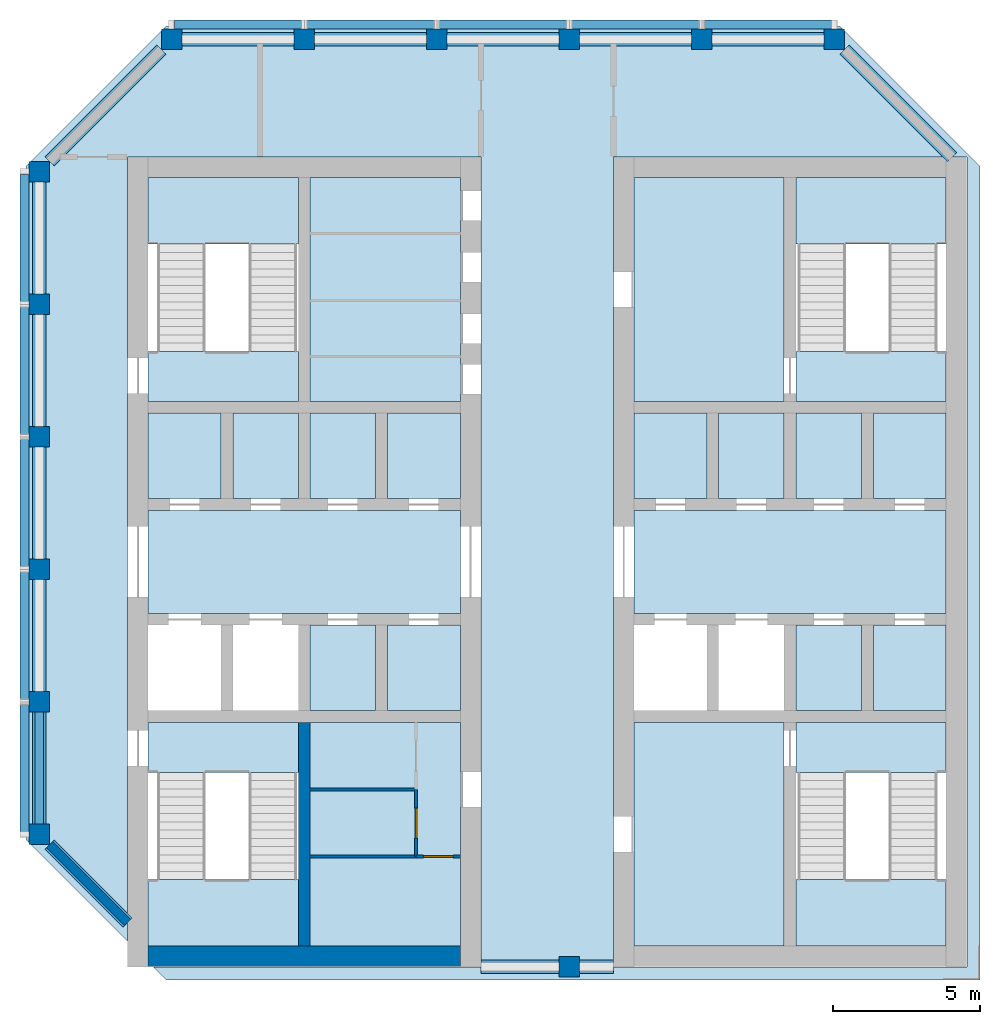
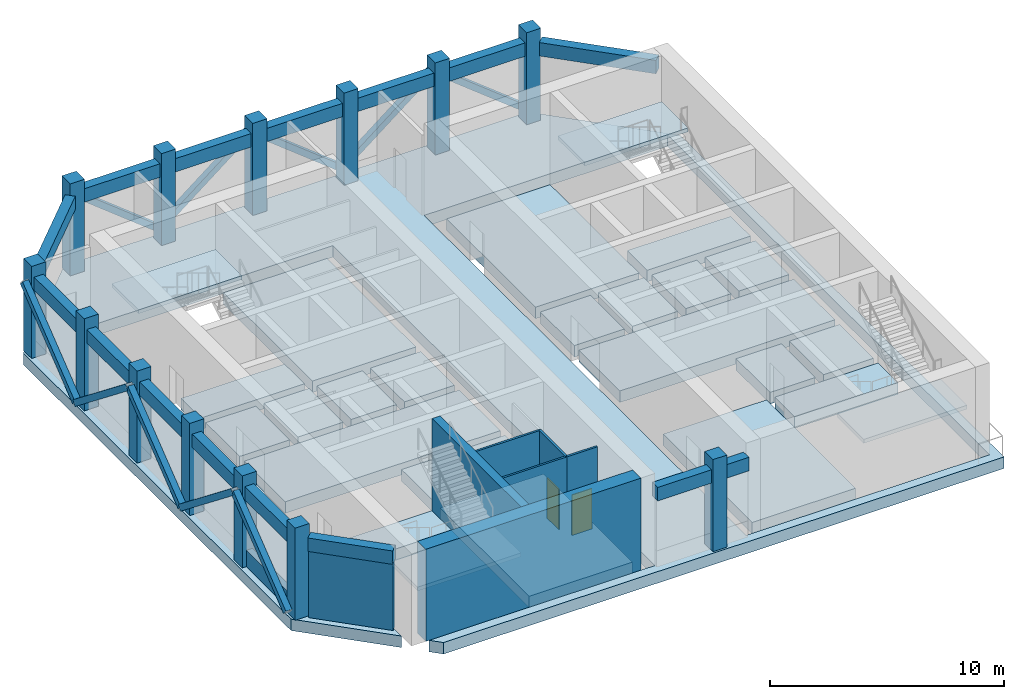
# One storey, part 1 of 6: 27 slabs, 15 beams, 13 columns, 10 members, 8 walls, 2 doors, 2 openings, 4 elements without a shape of their own.
"""IFC4 building model written with IfcOpenShell, lengths in metres."""

from ifc_helpers import new_model, si_unit, direction, frame, frame_2d, origin, origin_2d, place, context, subcontext, project, spatial, polyline, rectangle, hollow_rectangle, outline, extrude, material, layer, layer_set, material_profile, profile_set, type_object, element, fill, aggregate, save


model = new_model("IFC4")

# Units and contexts
model_context = context("Model", 3, precision=1e-05, world=origin(), true_north=direction((0.0, 1.0)))
body_context = subcontext(model_context, "Body", "Model", "MODEL_VIEW")
ifc_project = project(units=[si_unit("LENGTHUNIT", "METRE"), si_unit("AREAUNIT", "SQUARE_METRE"), si_unit("VOLUMEUNIT", "CUBIC_METRE"), si_unit("PLANEANGLEUNIT", "RADIAN"), si_unit("MASSUNIT", "GRAM", prefix="KILO")], contexts=[model_context])

# Site, building, storey
site_placement = place(None, origin())
site = spatial("IfcSite", under=ifc_project, at=site_placement, CompositionType="ELEMENT")
building_placement = place(site_placement, origin())
building = spatial("IfcBuilding", under=site, at=building_placement, Name="Corbel Stack Research Tower", CompositionType="ELEMENT")
storey_placement = place(building_placement, frame((0.0, 0.0, 321.39990234375)))
storey = spatial("IfcBuildingStorey", under=building, at=storey_placement, Name="L72", CompositionType="ELEMENT", Elevation=321.39990234375)

# Columns
ifc_material_1 = material(Name="Concrete C60/75", Category="concrete")
ifc_material_profile_1 = material_profile(ifc_material_1, rectangle(XDim=0.699951171875, YDim=0.699951171875, at=origin_2d()), Name="RC 700 x 700")
ifc_profile_set_1 = profile_set([ifc_material_profile_1], Name="Concrete C60/75")
column_type = type_object("IfcColumnType", Name="C-700-60", PredefinedType="COLUMN", material=ifc_profile_set_1)
for number, where, z_axis, x_axis, name in (
    (1, (-13.5, -4.5, 0.0), (0.0, 0.0, 1.0), (1.0, 0.0, 0.0), "Column 5/G L72"),
    (2, (-13.5, 0.0, 0.0), (0.0, 0.0, 1.0), (1.0, 0.0, 0.0), "Column 5/H L72"),
    (3, (-13.5, 4.5, 0.0), (0.0, 0.0, 1.0), (1.0, 0.0, 0.0), "Column 5/J L72"),
    (4, (-13.5, 9.0, 0.0), (0.0, 0.0, 1.0), (1.0, 0.0, 0.0), "Column 5/K L72"),
    (5, (-13.5, 13.5, 0.0), (0.0, 0.0, 1.0), (1.0, 0.0, 0.0), "Column 5/L L72"),
    (6, (-13.5, 18.0, 0.0), (0.0, 0.0, 1.0), (1.0, 0.0, 0.0), "Column 5/M L72"),
    (7, (-9.0, 22.5, 0.0), (0.0, 0.0, 1.0), (1.0, 0.0, 0.0), "Column 6/N L72"),
    (8, (-4.5, 22.5, 0.0), (0.0, 0.0, 1.0), (1.0, 0.0, 0.0), "Column 7/N L72"),
    (9, (0.0, 22.5, 0.0), (0.0, 0.0, 1.0), (1.0, 0.0, 0.0), "Column 8/N L72"),
    (10, (4.5, -9.0, 0.0), (0.0, 0.0, 1.0), (1.0, 0.0, 0.0), "Column 9/F L72"),
    (11, (4.5, 22.5, 0.0), (0.0, 0.0, 1.0), (1.0, 0.0, 0.0), "Column 9/N L72"),
    (12, (9.0, 22.5, 0.0), (0.0, 0.0, 1.0), (1.0, 0.0, 0.0), "Column 10/N L72"),
    (13, (13.5, 22.5, 0.0), (0.0, 0.0, 1.0), (1.0, 0.0, 0.0), "Column 11/N L72"),
):
    element("IfcColumn", number, at=place(storey_placement, frame(where, z_axis=z_axis, x_axis=x_axis)), inside=storey, type_object=column_type, Name=name, PredefinedType="COLUMN", context=body_context, shape_type="SweptSolid", body=[
        extrude(rectangle(XDim=0.699951171875, YDim=0.699951171875, at=origin_2d()), origin(), (0.0, 0.0, 1.0), 4.800048828125),
    ])

# Members
ifc_material_2 = material(Name="Steel S355", Category="steel")
ifc_material_profile_2 = material_profile(ifc_material_2, hollow_rectangle(XDim=0.304931640625, YDim=0.304931640625, WallThickness=0.014892578125, at=origin_2d()), Name="HSS12x12x5/8")
ifc_profile_set_2 = profile_set([ifc_material_profile_2], Name="Steel S355")
member_type = type_object("IfcMemberType", Name="Crown belt brace HSS12x12x5/8", PredefinedType="BRACE", material=ifc_profile_set_2)
for number, where, z_axis, x_axis, name in (
    (14, (13.5, 23.00244140625, 0.300048828125), (-0.785101867341, 0.0, 0.619366658691), (0.0, -1.0, 0.0), "Crown belt brace L72-01"),
    (15, (4.5, 23.00244140625, 0.300048828125), (0.785101867341, 0.0, 0.619366658691), (0.0, 1.0, 0.0), "Crown belt brace L72-02"),
    (16, (4.5, 23.00244140625, 0.300048828125), (-0.785101867341, 0.0, 0.619366658691), (0.0, -1.0, 0.0), "Crown belt brace L72-03"),
    (17, (-4.5, 23.00244140625, 0.300048828125), (0.785101867341, 0.0, 0.619366658691), (0.0, 1.0, 0.0), "Crown belt brace L72-04"),
    (18, (-4.5, 23.00244140625, 0.300048828125), (-0.785101867341, 0.0, 0.619366658691), (0.0, -1.0, 0.0), "Crown belt brace L72-05"),
    (19, (-14.00244140625, 13.5, 0.300048828125), (0.0, 0.785101867341, 0.619366658691), (-1.0, 0.0, 0.0), "Crown belt brace L72-06"),
    (20, (-14.00244140625, 13.5, 0.300048828125), (0.0, -0.785101867341, 0.619366658691), (1.0, 0.0, 0.0), "Crown belt brace L72-07"),
    (21, (-14.00244140625, 4.5, 0.300048828125), (0.0, 0.785101867341, 0.619366658691), (-1.0, 0.0, 0.0), "Crown belt brace L72-08"),
    (22, (-14.00244140625, 4.5, 0.300048828125), (0.0, -0.785101867341, 0.619366658691), (1.0, 0.0, 0.0), "Crown belt brace L72-09"),
    (23, (-14.00244140625, -4.5, 0.300048828125), (0.0, 0.785101867341, 0.619366658691), (-1.0, 0.0, 0.0), "Crown belt brace L72-10"),
):
    element("IfcMember", number, at=place(storey_placement, frame(where, z_axis=z_axis, x_axis=x_axis)), inside=storey, type_object=member_type, Name=name, PredefinedType="BRACE", context=body_context, shape_type="SweptSolid", body=[
        extrude(hollow_rectangle(XDim=0.304931640625, YDim=0.304931640625, WallThickness=0.014892578125, at=origin_2d()), origin(), (0.0, 0.0, 1.0), 5.731689453125),
    ])

# Beams
ifc_material_3 = material(Name="Concrete C60/75", Category="concrete")
ifc_material_profile_3 = material_profile(ifc_material_3, rectangle(XDim=0.449951171875, YDim=0.699951171875, at=origin_2d()), Name="RC 450 x 700")
ifc_profile_set_3 = profile_set([ifc_material_profile_3], Name="Concrete C60/75")
beam_type = type_object("IfcBeamType", Name="SB-450-700", PredefinedType="SPANDREL", material=ifc_profile_set_3)
beam_1_placement = place(storey_placement, frame((1.5, -9.0, 3.85009765625), z_axis=(1.0, 0.0, 0.0), x_axis=(0.0, 1.0, 0.0)))
element("IfcBeam", 24, at=beam_1_placement, inside=storey, type_object=beam_type, Name="Spandrel beam L72-01", PredefinedType="SPANDREL", context=body_context, shape_type="SweptSolid", body=[
    extrude(rectangle(XDim=0.449951171875, YDim=0.699951171875, at=origin_2d()), origin(), (0.0, 0.0, 1.0), 2.64990234375),
])
beam_2_placement = place(storey_placement, frame((4.85009765625, -9.0, 3.85009765625), z_axis=(1.0, 0.0, 0.0), x_axis=(0.0, 1.0, 0.0)))
element("IfcBeam", 25, at=beam_2_placement, inside=storey, type_object=beam_type, Name="Spandrel beam L72-02", PredefinedType="SPANDREL", context=body_context, shape_type="SweptSolid", body=[
    extrude(rectangle(XDim=0.449951171875, YDim=0.699951171875, at=origin_2d()), origin(), (0.0, 0.0, 1.0), 1.14990234375),
])
beam_3_placement = place(storey_placement, frame((17.5, 18.5, 3.85009765625), z_axis=(-0.707106781187, 0.707106781187, 0.0), x_axis=(-0.707106781187, -0.707106781187, 0.0)))
element("IfcBeam", 26, at=beam_3_placement, inside=storey, type_object=beam_type, Name="Spandrel beam L72-03", PredefinedType="SPANDREL", context=body_context, shape_type="SweptSolid", body=[
    extrude(rectangle(XDim=0.449951171875, YDim=0.699951171875, at=origin_2d()), origin(), (0.0, 0.0, 1.0), 5.16162109375),
])
for number, where, z_axis, x_axis, name in (
    (27, (13.14990234375, 22.5, 3.85009765625), (-1.0, 0.0, 0.0), (0.0, -1.0, 0.0), "Spandrel beam L72-04"),
    (28, (8.64990234375, 22.5, 3.85009765625), (-1.0, 0.0, 0.0), (0.0, -1.0, 0.0), "Spandrel beam L72-05"),
    (29, (4.14990234375, 22.5, 3.85009765625), (-1.0, 0.0, 0.0), (0.0, -1.0, 0.0), "Spandrel beam L72-06"),
    (30, (-0.35009765625, 22.5, 3.85009765625), (-1.0, 0.0, 0.0), (0.0, -1.0, 0.0), "Spandrel beam L72-07"),
    (31, (-4.85009765625, 22.5, 3.85009765625), (-1.0, 0.0, 0.0), (0.0, -1.0, 0.0), "Spandrel beam L72-08"),
):
    element("IfcBeam", number, at=place(storey_placement, frame(where, z_axis=z_axis, x_axis=x_axis)), inside=storey, type_object=beam_type, Name=name, PredefinedType="SPANDREL", context=body_context, shape_type="SweptSolid", body=[
        extrude(rectangle(XDim=0.449951171875, YDim=0.699951171875, at=origin_2d()), origin(), (0.0, 0.0, 1.0), 3.7998046875),
    ])
beam_4_placement = place(storey_placement, frame((-9.35009765625, 22.14990234375, 3.85009765625), z_axis=(-0.707106781187, -0.707106781187, 0.0), x_axis=(0.707106781187, -0.707106781187, 0.0)))
element("IfcBeam", 32, at=beam_4_placement, inside=storey, type_object=beam_type, Name="Spandrel beam L72-09", PredefinedType="SPANDREL", context=body_context, shape_type="SweptSolid", body=[
    extrude(rectangle(XDim=0.449951171875, YDim=0.699951171875, at=origin_2d()), origin(), (0.0, 0.0, 1.0), 5.373779296875),
])
for number, where, z_axis, x_axis, name in (
    (33, (-13.5, 17.64990234375, 3.85009765625), (0.0, -1.0, 0.0), (1.0, 0.0, 0.0), "Spandrel beam L72-10"),
    (34, (-13.5, 13.14990234375, 3.85009765625), (0.0, -1.0, 0.0), (1.0, 0.0, 0.0), "Spandrel beam L72-11"),
    (35, (-13.5, 8.64990234375, 3.85009765625), (0.0, -1.0, 0.0), (1.0, 0.0, 0.0), "Spandrel beam L72-12"),
    (36, (-13.5, 4.14990234375, 3.85009765625), (0.0, -1.0, 0.0), (1.0, 0.0, 0.0), "Spandrel beam L72-13"),
    (37, (-13.5, -0.35009765625, 3.85009765625), (0.0, -1.0, 0.0), (1.0, 0.0, 0.0), "Spandrel beam L72-14"),
):
    element("IfcBeam", number, at=place(storey_placement, frame(where, z_axis=z_axis, x_axis=x_axis)), inside=storey, type_object=beam_type, Name=name, PredefinedType="SPANDREL", context=body_context, shape_type="SweptSolid", body=[
        extrude(rectangle(XDim=0.449951171875, YDim=0.699951171875, at=origin_2d()), origin(), (0.0, 0.0, 1.0), 3.7998046875),
    ])
beam_5_placement = place(storey_placement, frame((-13.14990234375, -4.85009765625, 3.85009765625), z_axis=(0.707106781187, -0.707106781187, 0.0), x_axis=(0.707106781187, 0.707106781187, 0.0)))
element("IfcBeam", 38, at=beam_5_placement, inside=storey, type_object=beam_type, Name="Spandrel beam L72-15", PredefinedType="SPANDREL", context=body_context, shape_type="SweptSolid", body=[
    extrude(rectangle(XDim=0.449951171875, YDim=0.699951171875, at=origin_2d()), origin(), (0.0, 0.0, 1.0), 3.74755859375),
])

# Slabs
ifc_material_4 = material(Name="Concrete C45/55", Category="concrete")
ifc_layer_1 = layer(ifc_material_4, 0.60009765625)
ifc_layer_set_1 = layer_set([ifc_layer_1], Name="Concrete C45/55")
slab_type_1 = type_object("IfcSlabType", Name="PT-600", PredefinedType="FLOOR", material=ifc_layer_set_1)
slab_1_placement = place(storey_placement, frame((0.0, 0.0, -0.599853515625)))
element("IfcSlab", 39, at=slab_1_placement, inside=storey, type_object=slab_type_1, Name="Floor slab L72", PredefinedType="FLOOR", context=body_context, shape_type="SweptSolid", body=[
    extrude(outline(polyline([(-10.5, -8.136474609375), (-10.5, 18.5), (1.5, 18.5), (1.5, -9.0), (-9.636474609375, -9.0), (-9.186279296875, -9.449951171875), (18.449951171875, -9.449951171875), (18.449951171875, 18.186279296875), (13.686279296875, 22.949951171875), (-9.186279296875, 22.949951171875), (-13.949951171875, 18.186279296875), (-13.949951171875, -4.686279296875), (-10.5, -8.136474609375)]), holes=[polyline([(6.0, -9.0), (6.0, 18.5), (18.0, 18.5), (18.0, -9.0), (6.0, -9.0)])]), origin(), (0.0, 0.0, 1.0), 0.599853515625),
])
slab_2_placement = place(storey_placement, frame((0.0, 0.0, -0.599853515625)))
element("IfcSlab", 40, at=slab_2_placement, inside=storey, type_object=slab_type_1, Name="West core floor L72", PredefinedType="FLOOR", context=body_context, shape_type="SweptSolid", body=[
    extrude(outline(polyline([(-9.800048828125, 6.5), (-9.800048828125, 3.0), (0.800048828125, 3.0), (0.800048828125, 6.5), (-9.800048828125, 6.5)])), origin(), (0.0, 0.0, 1.0), 0.599853515625),
])
slab_3_placement = place(storey_placement, frame((0.0, 0.0, -0.599853515625)))
element("IfcSlab", 41, at=slab_3_placement, inside=storey, type_object=slab_type_1, Name="West core floor L72", PredefinedType="FLOOR", context=body_context, shape_type="SweptSolid", body=[
    extrude(outline(polyline([(-9.800048828125, 6.89990234375), (-7.324951171875, 6.89990234375), (-7.324951171875, 9.800048828125), (-9.800048828125, 9.800048828125), (-9.800048828125, 6.89990234375)])), origin(), (0.0, 0.0, 1.0), 0.599853515625),
])
slab_4_placement = place(storey_placement, frame((0.0, 0.0, -0.599853515625)))
element("IfcSlab", 42, at=slab_4_placement, inside=storey, type_object=slab_type_1, Name="West core floor L72", PredefinedType="FLOOR", context=body_context, shape_type="SweptSolid", body=[
    extrude(outline(polyline([(-6.925048828125, 6.89990234375), (-4.699951171875, 6.89990234375), (-4.699951171875, 9.800048828125), (-6.925048828125, 9.800048828125), (-6.925048828125, 6.89990234375)])), origin(), (0.0, 0.0, 1.0), 0.599853515625),
])
slab_5_placement = place(storey_placement, frame((0.0, 0.0, -0.599853515625)))
element("IfcSlab", 43, at=slab_5_placement, inside=storey, type_object=slab_type_1, Name="West core floor L72", PredefinedType="FLOOR", context=body_context, shape_type="SweptSolid", body=[
    extrude(outline(polyline([(-4.300048828125, -0.699951171875), (-4.300048828125, -8.300048828125), (0.800048828125, -8.300048828125), (0.800048828125, -0.699951171875), (-4.300048828125, -0.699951171875)])), origin(), (0.0, 0.0, 1.0), 0.599853515625),
])
slab_6_placement = place(storey_placement, frame((0.0, 0.0, -0.599853515625)))
element("IfcSlab", 44, at=slab_6_placement, inside=storey, type_object=slab_type_1, Name="West core floor L72", PredefinedType="FLOOR", context=body_context, shape_type="SweptSolid", body=[
    extrude(outline(polyline([(-4.300048828125, 2.60009765625), (-4.300048828125, -0.300048828125), (-2.074951171875, -0.300048828125), (-2.074951171875, 2.60009765625), (-4.300048828125, 2.60009765625)])), origin(), (0.0, 0.0, 1.0), 0.599853515625),
])
slab_7_placement = place(storey_placement, frame((0.0, 0.0, -0.599853515625)))
element("IfcSlab", 45, at=slab_7_placement, inside=storey, type_object=slab_type_1, Name="West core floor L72", PredefinedType="FLOOR", context=body_context, shape_type="SweptSolid", body=[
    extrude(outline(polyline([(-2.074951171875, 6.89990234375), (-2.074951171875, 9.800048828125), (-4.300048828125, 9.800048828125), (-4.300048828125, 6.89990234375), (-2.074951171875, 6.89990234375)])), origin(), (0.0, 0.0, 1.0), 0.599853515625),
])
slab_8_placement = place(storey_placement, frame((0.0, 0.0, -0.599853515625)))
element("IfcSlab", 46, at=slab_8_placement, inside=storey, type_object=slab_type_1, Name="West core floor L72", PredefinedType="FLOOR", context=body_context, shape_type="SweptSolid", body=[
    extrude(outline(polyline([(-4.300048828125, 17.800048828125), (-4.300048828125, 10.199951171875), (0.800048828125, 10.199951171875), (0.800048828125, 17.800048828125), (-4.300048828125, 17.800048828125)])), origin(), (0.0, 0.0, 1.0), 0.599853515625),
])
slab_9_placement = place(storey_placement, frame((0.0, 0.0, -0.599853515625)))
element("IfcSlab", 47, at=slab_9_placement, inside=storey, type_object=slab_type_1, Name="West core floor L72", PredefinedType="FLOOR", context=body_context, shape_type="SweptSolid", body=[
    extrude(outline(polyline([(-1.675048828125, 2.60009765625), (-1.675048828125, -0.300048828125), (0.800048828125, -0.300048828125), (0.800048828125, 2.60009765625), (-1.675048828125, 2.60009765625)])), origin(), (0.0, 0.0, 1.0), 0.599853515625),
])
slab_10_placement = place(storey_placement, frame((0.0, 0.0, -0.599853515625)))
element("IfcSlab", 48, at=slab_10_placement, inside=storey, type_object=slab_type_1, Name="West core floor L72", PredefinedType="FLOOR", context=body_context, shape_type="SweptSolid", body=[
    extrude(outline(polyline([(0.800048828125, 6.89990234375), (0.800048828125, 9.800048828125), (-1.675048828125, 9.800048828125), (-1.675048828125, 6.89990234375), (0.800048828125, 6.89990234375)])), origin(), (0.0, 0.0, 1.0), 0.599853515625),
])
slab_11_placement = place(storey_placement, frame((0.0, 0.0, -0.599853515625)))
element("IfcSlab", 49, at=slab_11_placement, inside=storey, type_object=slab_type_1, Name="East core floor L72", PredefinedType="FLOOR", context=body_context, shape_type="SweptSolid", body=[
    extrude(outline(polyline([(6.699951171875, -8.300048828125), (11.800048828125, -8.300048828125), (11.800048828125, -0.699951171875), (6.699951171875, -0.699951171875), (6.699951171875, -8.300048828125)])), origin(), (0.0, 0.0, 1.0), 0.599853515625),
])
slab_12_placement = place(storey_placement, frame((0.0, 0.0, -0.599853515625)))
element("IfcSlab", 50, at=slab_12_placement, inside=storey, type_object=slab_type_1, Name="East core floor L72", PredefinedType="FLOOR", context=body_context, shape_type="SweptSolid", body=[
    extrude(outline(polyline([(6.699951171875, 3.0), (17.300048828125, 3.0), (17.300048828125, 6.5), (6.699951171875, 6.5), (6.699951171875, 3.0)])), origin(), (0.0, 0.0, 1.0), 0.599853515625),
])
slab_13_placement = place(storey_placement, frame((0.0, 0.0, -0.599853515625)))
element("IfcSlab", 51, at=slab_13_placement, inside=storey, type_object=slab_type_1, Name="East core floor L72", PredefinedType="FLOOR", context=body_context, shape_type="SweptSolid", body=[
    extrude(outline(polyline([(6.699951171875, 6.89990234375), (9.175048828125, 6.89990234375), (9.175048828125, 9.800048828125), (6.699951171875, 9.800048828125), (6.699951171875, 6.89990234375)])), origin(), (0.0, 0.0, 1.0), 0.599853515625),
])
slab_14_placement = place(storey_placement, frame((0.0, 0.0, -0.599853515625)))
element("IfcSlab", 52, at=slab_14_placement, inside=storey, type_object=slab_type_1, Name="East core floor L72", PredefinedType="FLOOR", context=body_context, shape_type="SweptSolid", body=[
    extrude(outline(polyline([(6.699951171875, 10.199951171875), (11.800048828125, 10.199951171875), (11.800048828125, 17.800048828125), (6.699951171875, 17.800048828125), (6.699951171875, 10.199951171875)])), origin(), (0.0, 0.0, 1.0), 0.599853515625),
])
slab_15_placement = place(storey_placement, frame((0.0, 0.0, -0.599853515625)))
element("IfcSlab", 53, at=slab_15_placement, inside=storey, type_object=slab_type_1, Name="East core floor L72", PredefinedType="FLOOR", context=body_context, shape_type="SweptSolid", body=[
    extrude(outline(polyline([(9.574951171875, 6.89990234375), (11.800048828125, 6.89990234375), (11.800048828125, 9.800048828125), (9.574951171875, 9.800048828125), (9.574951171875, 6.89990234375)])), origin(), (0.0, 0.0, 1.0), 0.599853515625),
])
slab_16_placement = place(storey_placement, frame((0.0, 0.0, -0.599853515625)))
element("IfcSlab", 54, at=slab_16_placement, inside=storey, type_object=slab_type_1, Name="East core floor L72", PredefinedType="FLOOR", context=body_context, shape_type="SweptSolid", body=[
    extrude(outline(polyline([(12.199951171875, 2.60009765625), (12.199951171875, -0.300048828125), (14.425048828125, -0.300048828125), (14.425048828125, 2.60009765625), (12.199951171875, 2.60009765625)])), origin(), (0.0, 0.0, 1.0), 0.599853515625),
])
slab_17_placement = place(storey_placement, frame((0.0, 0.0, -0.599853515625)))
element("IfcSlab", 55, at=slab_17_placement, inside=storey, type_object=slab_type_1, Name="East core floor L72", PredefinedType="FLOOR", context=body_context, shape_type="SweptSolid", body=[
    extrude(outline(polyline([(14.425048828125, 6.89990234375), (14.425048828125, 9.800048828125), (12.199951171875, 9.800048828125), (12.199951171875, 6.89990234375), (14.425048828125, 6.89990234375)])), origin(), (0.0, 0.0, 1.0), 0.599853515625),
])
slab_18_placement = place(storey_placement, frame((0.0, 0.0, -0.599853515625)))
element("IfcSlab", 56, at=slab_18_placement, inside=storey, type_object=slab_type_1, Name="East core floor L72", PredefinedType="FLOOR", context=body_context, shape_type="SweptSolid", body=[
    extrude(outline(polyline([(14.824951171875, 2.60009765625), (14.824951171875, -0.300048828125), (17.300048828125, -0.300048828125), (17.300048828125, 2.60009765625), (14.824951171875, 2.60009765625)])), origin(), (0.0, 0.0, 1.0), 0.599853515625),
])
slab_19_placement = place(storey_placement, frame((0.0, 0.0, -0.599853515625)))
element("IfcSlab", 57, at=slab_19_placement, inside=storey, type_object=slab_type_1, Name="East core floor L72", PredefinedType="FLOOR", context=body_context, shape_type="SweptSolid", body=[
    extrude(outline(polyline([(17.300048828125, 6.89990234375), (17.300048828125, 9.800048828125), (14.824951171875, 9.800048828125), (14.824951171875, 6.89990234375), (17.300048828125, 6.89990234375)])), origin(), (0.0, 0.0, 1.0), 0.599853515625),
])
slab_20_placement = place(storey_placement, frame((0.0, 0.0, -0.599853515625)))
element("IfcSlab", 58, at=slab_20_placement, inside=storey, type_object=slab_type_1, Name="Stair floor landing ST-W1", PredefinedType="FLOOR", context=body_context, shape_type="SweptSolid", body=[
    extrude(outline(polyline([(-9.800048828125, -2.39990234375), (-4.699951171875, -2.39990234375), (-4.699951171875, -0.699951171875), (-9.800048828125, -0.699951171875), (-9.800048828125, -2.39990234375)])), origin(), (0.0, 0.0, 1.0), 0.599853515625),
])
slab_21_placement = place(storey_placement, frame((0.0, 0.0, -0.599853515625)))
element("IfcSlab", 59, at=slab_21_placement, inside=storey, type_object=slab_type_1, Name="Stair floor landing ST-W2", PredefinedType="FLOOR", context=body_context, shape_type="SweptSolid", body=[
    extrude(outline(polyline([(-9.800048828125, 10.199951171875), (-4.699951171875, 10.199951171875), (-4.699951171875, 11.89990234375), (-9.800048828125, 11.89990234375), (-9.800048828125, 10.199951171875)])), origin(), (0.0, 0.0, 1.0), 0.599853515625),
])
slab_22_placement = place(storey_placement, frame((0.0, 0.0, -0.599853515625)))
element("IfcSlab", 60, at=slab_22_placement, inside=storey, type_object=slab_type_1, Name="Stair floor landing ST-E1", PredefinedType="FLOOR", context=body_context, shape_type="SweptSolid", body=[
    extrude(outline(polyline([(12.199951171875, -2.39990234375), (17.300048828125, -2.39990234375), (17.300048828125, -0.699951171875), (12.199951171875, -0.699951171875), (12.199951171875, -2.39990234375)])), origin(), (0.0, 0.0, 1.0), 0.599853515625),
])
slab_23_placement = place(storey_placement, frame((0.0, 0.0, -0.599853515625)))
element("IfcSlab", 61, at=slab_23_placement, inside=storey, type_object=slab_type_1, Name="Stair floor landing ST-E2", PredefinedType="FLOOR", context=body_context, shape_type="SweptSolid", body=[
    extrude(outline(polyline([(12.199951171875, 10.199951171875), (17.300048828125, 10.199951171875), (17.300048828125, 11.89990234375), (12.199951171875, 11.89990234375), (12.199951171875, 10.199951171875)])), origin(), (0.0, 0.0, 1.0), 0.599853515625),
])

# Stair, slab
ifc_material_5 = material(Name="Concrete C40/50", Category="concrete")
stair_type = type_object("IfcStairType", Name="Exit stair 28 risers", PredefinedType="HALF_TURN_STAIR", material=ifc_material_5)
stair_1_placement = place(storey_placement, origin())
stair_1 = element("IfcStair", 62, at=stair_1_placement, inside=storey, type_object=stair_type, Name="L72 Exit stair ST-W1", PredefinedType="HALF_TURN_STAIR")
ifc_material_6 = material(Name="Concrete C40/50", Category="concrete")
ifc_layer_2 = layer(ifc_material_6, 0.199951171875)
ifc_layer_set_2 = layer_set([ifc_layer_2], Name="Concrete C40/50")
slab_type_2 = type_object("IfcSlabType", Name="Stair landing 200 C40/50", PredefinedType="LANDING", material=ifc_layer_set_2)
slab_24_placement = place(storey_placement, frame((0.0, 0.0, 2.2001953125)))
slab_24 = element("IfcSlab", 63, at=slab_24_placement, type_object=slab_type_2, Name="ST-W1 landing 1", PredefinedType="LANDING", context=body_context, shape_type="SweptSolid", body=[
    extrude(outline(polyline([(-9.800048828125, -8.300048828125), (-9.800048828125, -6.0400390625), (-4.699951171875, -6.0400390625), (-4.699951171875, -8.300048828125), (-9.800048828125, -8.300048828125)])), origin(), (0.0, 0.0, 1.0), 0.199951171875),
])
aggregate(stair_1, [slab_24])

stair_2_placement = place(storey_placement, origin())
stair_2 = element("IfcStair", 64, at=stair_2_placement, inside=storey, type_object=stair_type, Name="L72 Exit stair ST-W2", PredefinedType="HALF_TURN_STAIR")
slab_25_placement = place(storey_placement, frame((0.0, 0.0, 2.2001953125)))
slab_25 = element("IfcSlab", 65, at=slab_25_placement, type_object=slab_type_2, Name="ST-W2 landing 1", PredefinedType="LANDING", context=body_context, shape_type="SweptSolid", body=[
    extrude(outline(polyline([(-9.800048828125, 15.5400390625), (-9.800048828125, 17.800048828125), (-4.699951171875, 17.800048828125), (-4.699951171875, 15.5400390625), (-9.800048828125, 15.5400390625)])), origin(), (0.0, 0.0, 1.0), 0.199951171875),
])
aggregate(stair_2, [slab_25])

stair_3_placement = place(storey_placement, origin())
stair_3 = element("IfcStair", 66, at=stair_3_placement, inside=storey, type_object=stair_type, Name="L72 Exit stair ST-E1", PredefinedType="HALF_TURN_STAIR")
slab_26_placement = place(storey_placement, frame((0.0, 0.0, 2.2001953125)))
slab_26 = element("IfcSlab", 67, at=slab_26_placement, type_object=slab_type_2, Name="ST-E1 landing 1", PredefinedType="LANDING", context=body_context, shape_type="SweptSolid", body=[
    extrude(outline(polyline([(12.199951171875, -8.300048828125), (12.199951171875, -6.0400390625), (17.300048828125, -6.0400390625), (17.300048828125, -8.300048828125), (12.199951171875, -8.300048828125)])), origin(), (0.0, 0.0, 1.0), 0.199951171875),
])
aggregate(stair_3, [slab_26])

stair_4_placement = place(storey_placement, origin())
stair_4 = element("IfcStair", 68, at=stair_4_placement, inside=storey, type_object=stair_type, Name="L72 Exit stair ST-E2", PredefinedType="HALF_TURN_STAIR")
slab_27_placement = place(storey_placement, frame((0.0, 0.0, 2.2001953125)))
slab_27 = element("IfcSlab", 69, at=slab_27_placement, type_object=slab_type_2, Name="ST-E2 landing 1", PredefinedType="LANDING", context=body_context, shape_type="SweptSolid", body=[
    extrude(outline(polyline([(12.199951171875, 15.5400390625), (12.199951171875, 17.800048828125), (17.300048828125, 17.800048828125), (17.300048828125, 15.5400390625), (12.199951171875, 15.5400390625)])), origin(), (0.0, 0.0, 1.0), 0.199951171875),
])
aggregate(stair_4, [slab_27])

# Walls
ifc_material_7 = material(Name="Concrete C60/75", Category="concrete")
ifc_layer_3 = layer(ifc_material_7, 0.39990234375)
ifc_layer_set_3 = layer_set([ifc_layer_3], Name="Concrete C60/75")
wall_type_1 = type_object("IfcWallType", Name="CW-400-60", PredefinedType="SHEAR", material=ifc_layer_set_3)
wall_1_placement = place(storey_placement, frame((-4.5, -8.300048828125, 0.0), z_axis=(0.0, 0.0, 1.0), x_axis=(0.0, 1.0, 0.0)))
element("IfcWall", 70, at=wall_1_placement, inside=storey, type_object=wall_type_1, Name="West core wall, south stair and WC L72", PredefinedType="SHEAR", context=body_context, shape_type="SweptSolid", body=[
    extrude(rectangle(XDim=7.60009765625, YDim=0.39990234375, at=frame_2d((3.800048828125, 0.0))), origin(), (0.0, 0.0, 1.0), 4.800048828125),
])
ifc_material_8 = material(Name="Concrete C60/75", Category="concrete")
ifc_layer_4 = layer(ifc_material_8, 0.699951171875)
ifc_layer_set_4 = layer_set([ifc_layer_4], Name="Concrete C60/75")
wall_type_2 = type_object("IfcWallType", Name="CW-700-60", PredefinedType="SHEAR", material=ifc_layer_set_4)
wall_2_placement = place(storey_placement, frame((-9.800048828125, -8.64990234375, 0.0), z_axis=(0.0, 0.0, 1.0), x_axis=(1.0, 0.0, 0.0)))
element("IfcWall", 71, at=wall_2_placement, inside=storey, type_object=wall_type_2, Name="West core wall, south end L72", PredefinedType="SHEAR", context=body_context, shape_type="SweptSolid", body=[
    extrude(rectangle(XDim=10.60009765625, YDim=0.699951171875, at=frame_2d((5.300048828125, 0.0))), origin(), (0.0, 0.0, 1.0), 4.800048828125),
])

# Wall, opening, door
ifc_material_9 = material(Name="Gypsum board")
ifc_layer_5 = layer(ifc_material_9, 0.10009765625)
ifc_layer_set_5 = layer_set([ifc_layer_5], Name="Gypsum board")
wall_type_3 = type_object("IfcWallType", Name="Core partition 100", PredefinedType="PARTITIONING", material=ifc_layer_set_5)
wall_3_placement = place(storey_placement, frame((-0.699951171875, -5.260009765625, 0.0), z_axis=(0.0, 0.0, 1.0), x_axis=(1.0, 0.0, 0.0)))
wall_3 = element("IfcWall", 72, at=wall_3_placement, inside=storey, type_object=wall_type_3, Name="Core partition W", PredefinedType="PARTITIONING", context=body_context, shape_type="SweptSolid", body=[
    extrude(rectangle(XDim=1.5, YDim=0.10009765625, at=frame_2d((0.75, 0.0))), origin(), (0.0, 0.0, 1.0), 4.2001953125),
])
opening_1_placement = place(wall_3_placement, frame((0.25, 0.0, 0.0)))
opening_1 = element("IfcOpeningElement", 73, at=opening_1_placement, cuts=wall_3, Name="Opening CR-W66-W2-1000", PredefinedType="OPENING", context=body_context, shape_type="SweptSolid", body=[
    extrude(rectangle(XDim=1.0, YDim=2.10009765625, at=frame_2d((0.5, 1.050048828125))), frame((0.0, 0.06005859375, 0.0), z_axis=(0.0, -1.0, 0.0), x_axis=(1.0, 0.0, 0.0)), (0.0, 0.0, 1.0), 0.1201171875),
])
ifc_material_10 = material(Name="Painted timber door", Category="wood")
door_type_1 = type_object("IfcDoorType", Name="WC door 1000 x 2100 right hand", OperationType="SINGLE_SWING_RIGHT", PredefinedType="DOOR", material=ifc_material_10)
door_1_placement = place(opening_1_placement, origin())
door_1 = element("IfcDoor", 74, at=door_1_placement, inside=storey, type_object=door_type_1, Name="Accessible WC door W core", OperationType="SINGLE_SWING_RIGHT", OverallHeight=2.10009765625, OverallWidth=1.0, PredefinedType="DOOR", context=body_context, shape_type="SweptSolid", body=[
    extrude(rectangle(XDim=1.0, YDim=2.10009765625, at=frame_2d((0.5, 1.050048828125))), frame((0.0, 0.02490234375, 0.0), z_axis=(0.0, -1.0, 0.0), x_axis=(1.0, 0.0, 0.0)), (0.0, 0.0, 1.0), 0.050048828125),
])
fill(opening_1, door_1)

wall_4_placement = place(storey_placement, frame((-0.699951171875, -5.260009765625, 0.0), z_axis=(0.0, 0.0, 1.0), x_axis=(0.0, 1.0, 0.0)))
wall_4 = element("IfcWall", 75, at=wall_4_placement, inside=storey, type_object=wall_type_3, Name="Core partition W", PredefinedType="PARTITIONING", context=body_context, shape_type="SweptSolid", body=[
    extrude(rectangle(XDim=2.280029296875, YDim=0.10009765625, at=frame_2d((1.14013671875, 0.0))), origin(), (0.0, 0.0, 1.0), 4.2001953125),
])
opening_2_placement = place(wall_4_placement, frame((0.639892578125, 0.0, 0.0)))
opening_2 = element("IfcOpeningElement", 76, at=opening_2_placement, cuts=wall_4, Name="Opening CR-W66-W3-1000", PredefinedType="OPENING", context=body_context, shape_type="SweptSolid", body=[
    extrude(rectangle(XDim=1.0, YDim=2.10009765625, at=frame_2d((0.5, 1.050048828125))), frame((0.0, 0.06005859375, 0.0), z_axis=(0.0, -1.0, 0.0), x_axis=(1.0, 0.0, 0.0)), (0.0, 0.0, 1.0), 0.1201171875),
])
ifc_material_11 = material(Name="Painted timber door", Category="wood")
door_type_2 = type_object("IfcDoorType", Name="WC door 1000 x 2100 left hand", OperationType="SINGLE_SWING_LEFT", PredefinedType="DOOR", material=ifc_material_11)
door_2_placement = place(opening_2_placement, origin())
door_2 = element("IfcDoor", 77, at=door_2_placement, inside=storey, type_object=door_type_2, Name="Men's WC door W core", OperationType="SINGLE_SWING_LEFT", OverallHeight=2.10009765625, OverallWidth=1.0, PredefinedType="DOOR", context=body_context, shape_type="SweptSolid", body=[
    extrude(rectangle(XDim=1.0, YDim=2.10009765625, at=frame_2d((0.5, 1.050048828125))), frame((0.0, 0.02490234375, 0.0), z_axis=(0.0, -1.0, 0.0), x_axis=(1.0, 0.0, 0.0)), (0.0, 0.0, 1.0), 0.050048828125),
])
fill(opening_2, door_2)

# Walls
for number, where, z_axis, x_axis, name in (
    (78, (-4.300048828125, -5.260009765625, 0.0), (0.0, 0.0, 1.0), (1.0, 0.0, 0.0), "Core partition W"),
    (79, (-4.300048828125, -2.97998046875, 0.0), (0.0, 0.0, 1.0), (1.0, 0.0, 0.0), "Core partition W"),
):
    element("IfcWall", number, at=place(storey_placement, frame(where, z_axis=z_axis, x_axis=x_axis)), inside=storey, type_object=wall_type_3, Name=name, PredefinedType="PARTITIONING", context=body_context, shape_type="SweptSolid", body=[
        extrude(rectangle(XDim=3.60009765625, YDim=0.10009765625, at=frame_2d((1.800048828125, 0.0))), origin(), (0.0, 0.0, 1.0), 4.2001953125),
    ])
ifc_material_12 = material(Name="Concrete C45/55", Category="concrete")
ifc_layer_6 = layer(ifc_material_12, 0.300048828125)
ifc_layer_set_6 = layer_set([ifc_layer_6], Name="Concrete C45/55")
wall_type_4 = type_object("IfcWallType", Name="Precast plant wall 300 C45/55", PredefinedType="SOLIDWALL", material=ifc_layer_set_6)
wall_5_placement = place(storey_placement, frame((-13.5, -0.35009765625, 0.0), z_axis=(0.0, 0.0, 1.0), x_axis=(0.0, -1.0, 0.0)))
element("IfcWall", 80, at=wall_5_placement, inside=storey, type_object=wall_type_4, Name="Plant wall base L72-14", PredefinedType="SOLIDWALL", context=body_context, shape_type="SweptSolid", body=[
    extrude(rectangle(XDim=3.7998046875, YDim=0.300048828125, at=frame_2d((1.89990234375, 0.0))), origin(), (0.0, 0.0, 1.0), 0.85009765625),
])
wall_6_placement = place(storey_placement, frame((-13.14990234375, -4.85009765625, 0.0), z_axis=(0.0, 0.0, 1.0), x_axis=(0.707106781187, -0.707106781187, 0.0)))
element("IfcWall", 81, at=wall_6_placement, inside=storey, type_object=wall_type_4, Name="Plant wall L72-15", PredefinedType="SOLIDWALL", context=body_context, shape_type="SweptSolid", body=[
    extrude(rectangle(XDim=3.74755859375, YDim=0.300048828125, at=frame_2d((1.873779296875, 0.0))), origin(), (0.0, 0.0, 1.0), 3.5),
])

save(model, "model.ifc")
